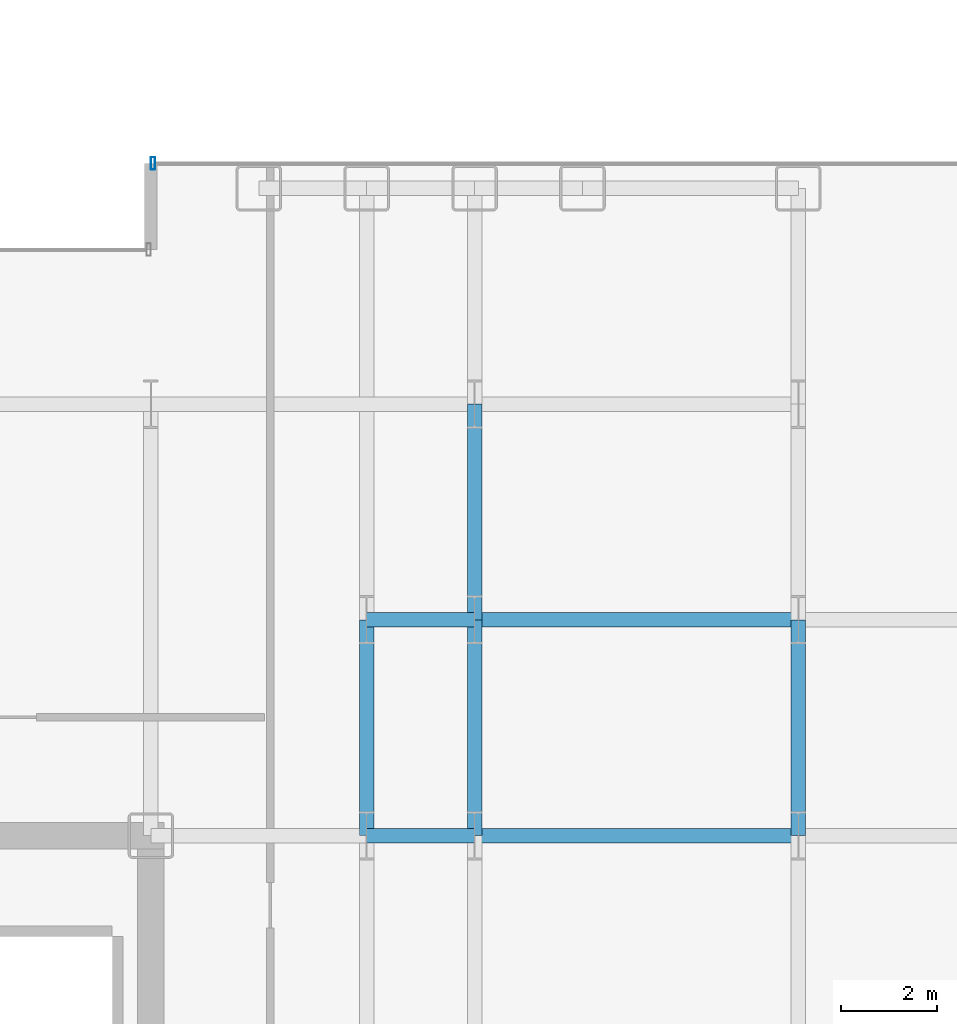
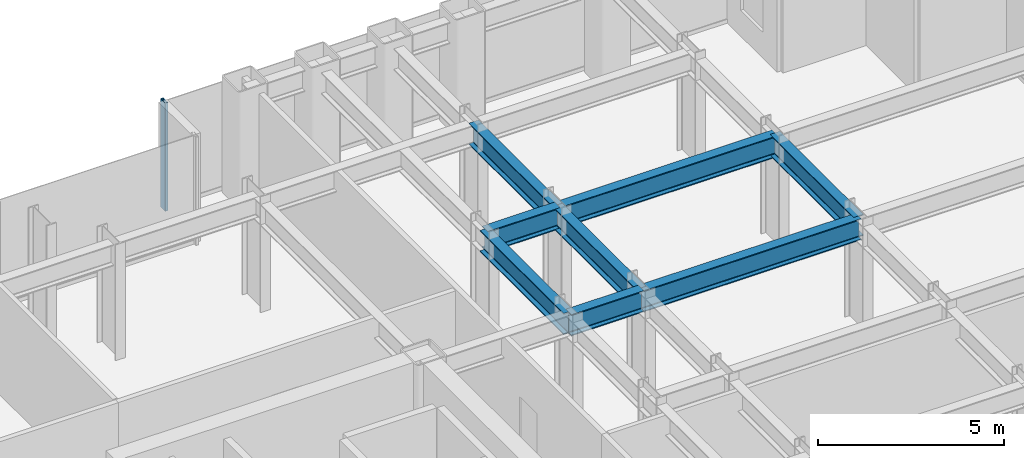
# One storey, part 15 of 28: 8 beams, 1 member, 1 element without a shape of its own.
"""IFC4 building model written with IfcOpenShell, lengths in metres."""

from ifc_helpers import new_model, si_unit, direction, frame, origin, origin_2d, place, context, subcontext, project, spatial, hollow_rectangle, i_section, extrude, source, transform, mapped, material, layer, layer_set, material_profile, profile_set, type_object, element, aggregate, save


model = new_model("IFC4")

# Units and contexts
model_context = context("Model", 3, precision=1e-05, world=origin(), true_north=direction((0.0, 1.0)))
body_context = subcontext(model_context, "Body", "Model", "MODEL_VIEW")
ifc_project = project(units=[si_unit("LENGTHUNIT", "METRE"), si_unit("AREAUNIT", "SQUARE_METRE"), si_unit("VOLUMEUNIT", "CUBIC_METRE"), si_unit("PLANEANGLEUNIT", "RADIAN"), si_unit("MASSUNIT", "GRAM", prefix="KILO")], contexts=[model_context])

# Site, building, storey
site_placement = place(None, origin())
site = spatial("IfcSite", under=ifc_project, at=site_placement, CompositionType="ELEMENT")
building_placement = place(site_placement, origin())
building = spatial("IfcBuilding", under=site, at=building_placement, Name="Nefas-Gora Pilgrimage Tower", CompositionType="ELEMENT")
storey_placement = place(building_placement, frame((0.0, 0.0, 102.199951171875)))
storey = spatial("IfcBuildingStorey", under=building, at=storey_placement, Name="L24", CompositionType="ELEMENT", Elevation=102.199951171875)

# Beams
ifc_material_1 = material(Name="Steel S355", Category="steel")
ifc_material_profile_1 = material_profile(ifc_material_1, i_section(OverallWidth=0.300048828125, OverallDepth=0.699951171875, WebThickness=0.01708984375, FlangeThickness=0.031982421875, FilletRadius=0.027099609375, at=origin_2d()), Name="HEB 700")
ifc_profile_set_1 = profile_set([ifc_material_profile_1], Name="Steel S355")
beam_type = type_object("IfcBeamType", Name="BM-GIR-HEB700", PredefinedType="BEAM", material=ifc_profile_set_1)
shared_shape_1 = source(origin(), body_context, "Body", "SweptSolid", [
    extrude(i_section(OverallWidth=0.300048828125, OverallDepth=0.699951171875, WebThickness=0.01708984375, FlangeThickness=0.031982421875, FilletRadius=0.027099609375, at=origin_2d()), origin(), (0.0, 0.0, 1.0), 4.5),
])
for number, where, z_axis, x_axis, name in (
    (1, (15.75, 9.0, 3.199951171875), (0.0, 1.0, 0.0), (-1.0, 0.0, 0.0), "L24 G-02 beam"),
    (2, (18.0, 9.0, 3.199951171875), (0.0, 1.0, 0.0), (-1.0, 0.0, 0.0), "L24 G-02 beam"),
    (3, (18.0, 13.5, 3.199951171875), (0.0, 1.0, 0.0), (-1.0, 0.0, 0.0), "L24 G-02 beam"),
    (4, (24.75, 9.0, 3.199951171875), (0.0, 1.0, 0.0), (-1.0, 0.0, 0.0), "L24 G-02 beam"),
):
    element("IfcBeam", number, at=place(storey_placement, frame(where, z_axis=z_axis, x_axis=x_axis)), inside=storey, type_object=beam_type, Name=name, PredefinedType="BEAM", context=body_context, shape_type="MappedRepresentation", body=[
        mapped(shared_shape_1, transform((0.0, 0.0, 0.0), x_axis=(1.0, 0.0, 0.0), y_axis=(0.0, 1.0, 0.0), z_axis=(0.0, 0.0, 1.0), scale=1.0)),
    ])
shared_shape_2 = source(origin(), body_context, "Body", "SweptSolid", [
    extrude(i_section(OverallWidth=0.300048828125, OverallDepth=0.699951171875, WebThickness=0.01708984375, FlangeThickness=0.031982421875, FilletRadius=0.027099609375, at=origin_2d()), origin(), (0.0, 0.0, 1.0), 6.75),
])
for number, where, z_axis, x_axis, name in (
    (5, (18.0, 9.0, 3.199951171875), (1.0, 0.0, 0.0), (0.0, 1.0, 0.0), "L24 G-02 beam"),
    (6, (18.0, 13.5, 3.199951171875), (1.0, 0.0, 0.0), (0.0, 1.0, 0.0), "L24 G-02 beam"),
):
    element("IfcBeam", number, at=place(storey_placement, frame(where, z_axis=z_axis, x_axis=x_axis)), inside=storey, type_object=beam_type, Name=name, PredefinedType="BEAM", context=body_context, shape_type="MappedRepresentation", body=[
        mapped(shared_shape_2, transform((0.0, 0.0, 0.0), x_axis=(1.0, 0.0, 0.0), y_axis=(0.0, 1.0, 0.0), z_axis=(0.0, 0.0, 1.0), scale=1.0)),
    ])
shared_shape_3 = source(origin(), body_context, "Body", "SweptSolid", [
    extrude(i_section(OverallWidth=0.300048828125, OverallDepth=0.699951171875, WebThickness=0.01708984375, FlangeThickness=0.031982421875, FilletRadius=0.027099609375, at=origin_2d()), origin(), (0.0, 0.0, 1.0), 2.25),
])
for number, where, z_axis, x_axis, name in (
    (7, (15.75, 9.0, 3.199951171875), (1.0, 0.0, 0.0), (0.0, 1.0, 0.0), "L24 G-02 beam"),
    (8, (15.75, 13.5, 3.199951171875), (1.0, 0.0, 0.0), (0.0, 1.0, 0.0), "L24 G-02 beam"),
):
    element("IfcBeam", number, at=place(storey_placement, frame(where, z_axis=z_axis, x_axis=x_axis)), inside=storey, type_object=beam_type, Name=name, PredefinedType="BEAM", context=body_context, shape_type="MappedRepresentation", body=[
        mapped(shared_shape_3, transform((0.0, 0.0, 0.0), x_axis=(1.0, 0.0, 0.0), y_axis=(0.0, 1.0, 0.0), z_axis=(0.0, 0.0, 1.0), scale=1.0)),
    ])

# Curtain wall, member
ifc_material_2 = material(Name="Dark ceramic-fritted solar-control aluminium-glass curtain wall", Category="aluminium")
ifc_layer = layer(ifc_material_2, 0.219970703125)
ifc_layer_set = layer_set([ifc_layer], Name="Dark ceramic-fritted solar-control aluminium-glass curtain wall")
curtain_wall_type = type_object("IfcCurtainWallType", Name="CW-SYS-2", PredefinedType="NOTDEFINED", material=ifc_layer_set)
curtain_wall_placement = place(storey_placement, origin())
curtain_wall = element("IfcCurtainWall", 9, at=curtain_wall_placement, inside=storey, type_object=curtain_wall_type, Name="L24 Unitised Curtain Wall CW2", PredefinedType="NOTDEFINED")
ifc_material_3 = material(Name="Anodised architectural aluminium", Category="aluminium")
ifc_material_profile_2 = material_profile(ifc_material_3, hollow_rectangle(XDim=0.090087890625, YDim=0.260009765625, WallThickness=0.006103515625, InnerFilletRadius=0.006103515625, OuterFilletRadius=0.011962890625, at=origin_2d()), Name="ALU MULLION 90x260")
ifc_profile_set_2 = profile_set([ifc_material_profile_2], Name="Anodised architectural aluminium")
member_type = type_object("IfcMemberType", Name="CWM-MUL-2", PredefinedType="MULLION", material=ifc_profile_set_2)
shared_shape_4 = source(origin(), body_context, "Body", "SweptSolid", [
    extrude(hollow_rectangle(XDim=0.090087890625, YDim=0.260009765625, WallThickness=0.006103515625, InnerFilletRadius=0.006103515625, OuterFilletRadius=0.011962890625, at=origin_2d()), origin(), (0.0, 0.0, 1.0), 3.550048828125),
])
member_placement = place(storey_placement, frame((11.294921875, 23.02001953125, 0.0), z_axis=(0.0, 0.0, 1.0), x_axis=(-1.0, 0.0, 0.0)))
member = element("IfcMember", 10, at=member_placement, type_object=member_type, Name="CW2 Mullion 2", PredefinedType="MULLION", context=body_context, shape_type="MappedRepresentation", body=[
    mapped(shared_shape_4, transform((0.0, 0.0, 0.0), x_axis=(1.0, 0.0, 0.0), y_axis=(0.0, 1.0, 0.0), z_axis=(0.0, 0.0, 1.0), scale=1.0)),
])
aggregate(curtain_wall, [member])

save(model, "model.ifc")
